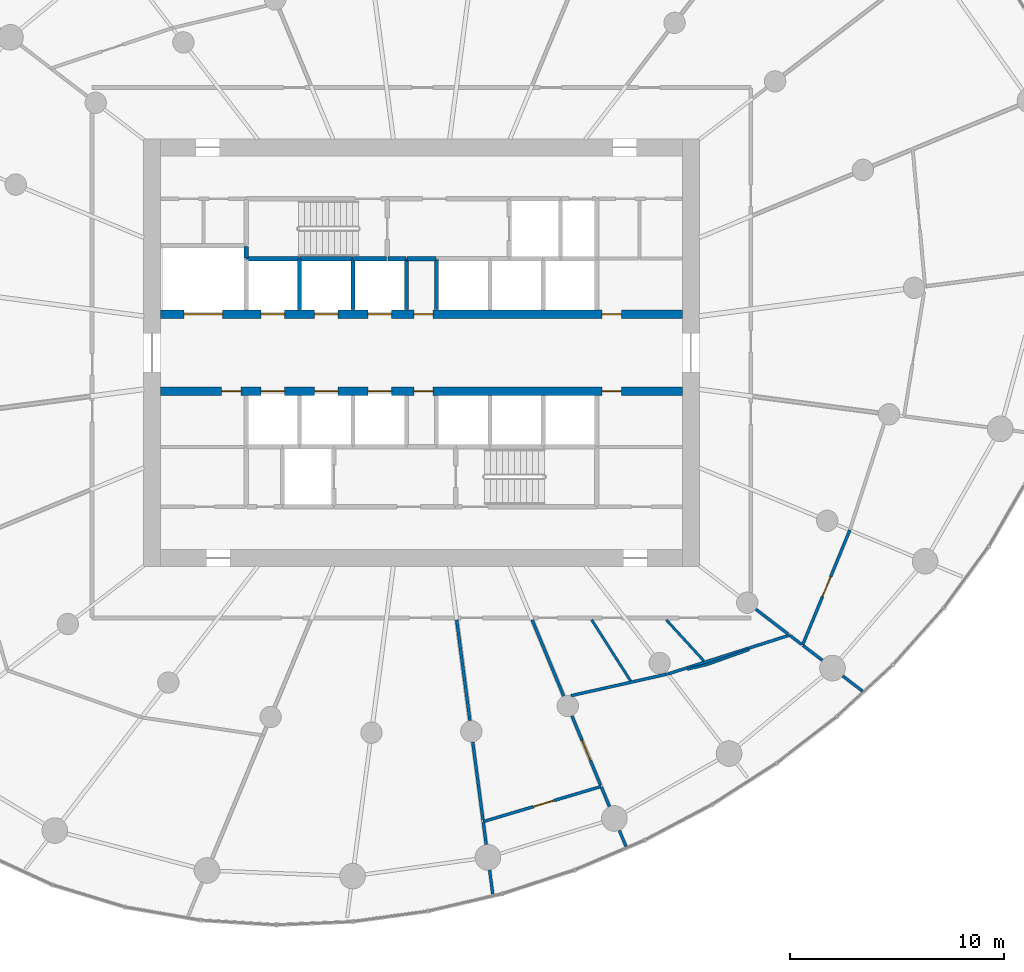
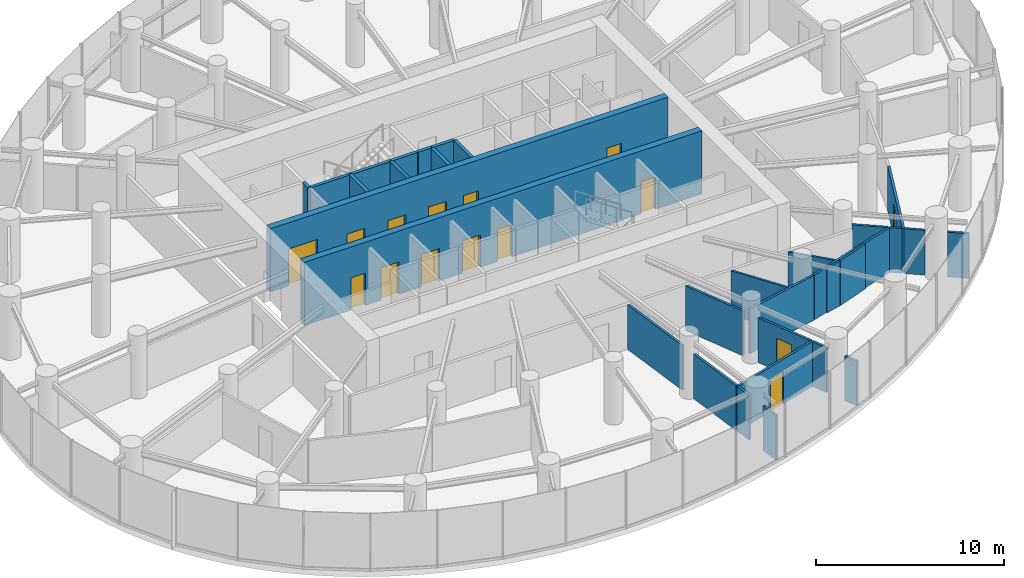
# One storey, part 11 of 17: 32 walls, 15 doors, 15 openings.
"""IFC4 building model written with IfcOpenShell, lengths in metres."""

from ifc_helpers import new_model, si_unit, direction, frame, frame_2d, origin, place, context, subcontext, project, spatial, rectangle, extrude, source, transform, mapped, material, layer, layer_set, type_object, element, fill, save


model = new_model("IFC4")

# Units and contexts
model_context = context("Model", 3, precision=1e-05, world=origin(), true_north=direction((0.0, 1.0)))
body_context = subcontext(model_context, "Body", "Model", "MODEL_VIEW")
ifc_project = project(units=[si_unit("LENGTHUNIT", "METRE"), si_unit("AREAUNIT", "SQUARE_METRE"), si_unit("VOLUMEUNIT", "CUBIC_METRE"), si_unit("PLANEANGLEUNIT", "RADIAN"), si_unit("MASSUNIT", "GRAM", prefix="KILO")], contexts=[model_context])

# Site, building, storey
site_placement = place(None, origin())
site = spatial("IfcSite", under=ifc_project, at=site_placement, CompositionType="ELEMENT")
building_placement = place(site_placement, origin())
building = spatial("IfcBuilding", under=site, at=building_placement, Name="Spindrift Exchange Tower", CompositionType="ELEMENT")
storey_placement = place(building_placement, frame((0.0, 0.0, 100.300048828125)))
storey = spatial("IfcBuildingStorey", under=building, at=storey_placement, Name="L23", CompositionType="ELEMENT", Elevation=100.300048828125)

# Wall, openings, doors
ifc_material_1 = material(Name="Concrete 65 MPa", Category="concrete")
ifc_layer_1 = layer(ifc_material_1, 0.39990234375)
ifc_layer_set_1 = layer_set([ifc_layer_1], Name="RC Spine Wall 400 Concrete 65 MPa")
wall_type_1 = type_object("IfcWallType", Name="RC Spine Wall 400 Concrete 65 MPa", PredefinedType="SHEAR", material=ifc_layer_set_1)
wall_1_placement = place(storey_placement, frame((39.800048828125, 49.800048828125, 0.0), z_axis=(0.0, 0.0, 1.0), x_axis=(1.0, 0.0, 0.0)))
wall_1 = element("IfcWall", 1, at=wall_1_placement, inside=storey, type_object=wall_type_1, Name="Core spine wall N L23", PredefinedType="SHEAR", context=body_context, shape_type="SweptSolid", body=[
    extrude(rectangle(XDim=24.39990234375, YDim=0.39990234375, at=frame_2d((12.199951171875, 0.0))), origin(), (0.0, 0.0, 1.0), 4.099853515625),
])
opening_1_placement = place(wall_1_placement, frame((4.699951171875, 0.0, 0.0)))
opening_1 = element("IfcOpeningElement", 2, at=opening_1_placement, cuts=wall_1, Name="Opening L23-D3", PredefinedType="OPENING", context=body_context, shape_type="SweptSolid", body=[
    extrude(rectangle(XDim=1.10009765625, YDim=2.10009765625, at=frame_2d((0.550048828125, 1.050048828125))), frame((0.0, 0.2099609375, 0.0), z_axis=(0.0, -1.0, 0.0), x_axis=(1.0, 0.0, 0.0)), (0.0, 0.0, 1.0), 0.419921875),
])
opening_2_placement = place(wall_1_placement, frame((7.199951171875, 0.0, 0.0)))
opening_2 = element("IfcOpeningElement", 3, at=opening_2_placement, cuts=wall_1, Name="Opening L23-D4", PredefinedType="OPENING", context=body_context, shape_type="SweptSolid", body=[
    extrude(rectangle(XDim=1.10009765625, YDim=2.10009765625, at=frame_2d((0.550048828125, 1.050048828125))), frame((0.0, 0.2099609375, 0.0), z_axis=(0.0, -1.0, 0.0), x_axis=(1.0, 0.0, 0.0)), (0.0, 0.0, 1.0), 0.419921875),
])
opening_3_placement = place(wall_1_placement, frame((9.699951171875, 0.0, 0.0)))
opening_3 = element("IfcOpeningElement", 4, at=opening_3_placement, cuts=wall_1, Name="Opening L23-D5", PredefinedType="OPENING", context=body_context, shape_type="SweptSolid", body=[
    extrude(rectangle(XDim=1.10009765625, YDim=2.10009765625, at=frame_2d((0.550048828125, 1.050048828125))), frame((0.0, 0.2099609375, 0.0), z_axis=(0.0, -1.0, 0.0), x_axis=(1.0, 0.0, 0.0)), (0.0, 0.0, 1.0), 0.419921875),
])
opening_4_placement = place(wall_1_placement, frame((1.10009765625, 0.0, 0.0)))
opening_4 = element("IfcOpeningElement", 5, at=opening_4_placement, cuts=wall_1, Name="Opening L23-D12", PredefinedType="OPENING", context=body_context, shape_type="SweptSolid", body=[
    extrude(rectangle(XDim=1.800048828125, YDim=2.39990234375, at=frame_2d((0.89990234375, 1.199951171875))), frame((0.0, 0.2099609375, 0.0), z_axis=(0.0, -1.0, 0.0), x_axis=(1.0, 0.0, 0.0)), (0.0, 0.0, 1.0), 0.419921875),
])
opening_5_placement = place(wall_1_placement, frame((20.64990234375, 0.0, 0.0)))
opening_5 = element("IfcOpeningElement", 6, at=opening_5_placement, cuts=wall_1, Name="Opening L23-D50", PredefinedType="OPENING", context=body_context, shape_type="SweptSolid", body=[
    extrude(rectangle(XDim=0.89990234375, YDim=2.10009765625, at=frame_2d((0.449951171875, 1.050048828125))), frame((0.0, 0.2099609375, 0.0), z_axis=(0.0, -1.0, 0.0), x_axis=(1.0, 0.0, 0.0)), (0.0, 0.0, 1.0), 0.419921875),
])
opening_6_placement = place(wall_1_placement, frame((11.85009765625, 0.0, 0.0)))
opening_6 = element("IfcOpeningElement", 7, at=opening_6_placement, cuts=wall_1, Name="Opening L23-D55", PredefinedType="OPENING", context=body_context, shape_type="SweptSolid", body=[
    extrude(rectangle(XDim=0.89990234375, YDim=2.10009765625, at=frame_2d((0.449951171875, 1.050048828125))), frame((0.0, 0.2099609375, 0.0), z_axis=(0.0, -1.0, 0.0), x_axis=(1.0, 0.0, 0.0)), (0.0, 0.0, 1.0), 0.419921875),
])
ifc_material_2 = material(Name="Stainless steel landing door", Category="steel")
door_type_1 = type_object("IfcDoorType", Name="DR-LANDING-1100-SL", OperationType="DOUBLE_DOOR_SLIDING", PredefinedType="USERDEFINED", material=ifc_material_2)
shared_shape_1 = source(origin(), body_context, "Body", "SweptSolid", [
    extrude(rectangle(XDim=1.10009765625, YDim=2.10009765625, at=frame_2d((0.550048828125, 1.050048828125))), frame((0.0, 0.02490234375, 0.0), z_axis=(0.0, -1.0, 0.0), x_axis=(1.0, 0.0, 0.0)), (0.0, 0.0, 1.0), 0.050048828125),
])
door_1_placement = place(opening_1_placement, origin())
door_1 = element("IfcDoor", 8, at=door_1_placement, inside=storey, type_object=door_type_1, Name="L23 Lift landing door 3", ObjectType="LANDING DOOR", OperationType="DOUBLE_DOOR_SLIDING", OverallHeight=2.10009765625, OverallWidth=1.10009765625, PredefinedType="USERDEFINED", context=body_context, shape_type="MappedRepresentation", body=[
    mapped(shared_shape_1, transform((0.0, 0.0, 0.0), scale=1.0)),
])
fill(opening_1, door_1)
door_2_placement = place(opening_2_placement, origin())
door_2 = element("IfcDoor", 9, at=door_2_placement, inside=storey, type_object=door_type_1, Name="L23 Lift landing door 4", ObjectType="LANDING DOOR", OperationType="DOUBLE_DOOR_SLIDING", OverallHeight=2.10009765625, OverallWidth=1.10009765625, PredefinedType="USERDEFINED", context=body_context, shape_type="MappedRepresentation", body=[
    mapped(shared_shape_1, transform((0.0, 0.0, 0.0), scale=1.0)),
])
fill(opening_2, door_2)
door_3_placement = place(opening_3_placement, origin())
door_3 = element("IfcDoor", 10, at=door_3_placement, inside=storey, type_object=door_type_1, Name="L23 Lift landing door 5", ObjectType="LANDING DOOR", OperationType="DOUBLE_DOOR_SLIDING", OverallHeight=2.10009765625, OverallWidth=1.10009765625, PredefinedType="USERDEFINED", context=body_context, shape_type="MappedRepresentation", body=[
    mapped(shared_shape_1, transform((0.0, 0.0, 0.0), scale=1.0)),
])
fill(opening_3, door_3)
door_type_2 = type_object("IfcDoorType", Name="DR-LANDING-1800-SL", OperationType="DOUBLE_DOOR_SLIDING", PredefinedType="USERDEFINED", material=ifc_material_2)
shared_shape_2 = source(origin(), body_context, "Body", "SweptSolid", [
    extrude(rectangle(XDim=1.800048828125, YDim=2.39990234375, at=frame_2d((0.89990234375, 1.199951171875))), frame((0.0, 0.02490234375, 0.0), z_axis=(0.0, -1.0, 0.0), x_axis=(1.0, 0.0, 0.0)), (0.0, 0.0, 1.0), 0.050048828125),
])
door_4_placement = place(opening_4_placement, origin())
door_4 = element("IfcDoor", 11, at=door_4_placement, inside=storey, type_object=door_type_2, Name="L23 Lift landing door 12", ObjectType="LANDING DOOR", OperationType="DOUBLE_DOOR_SLIDING", OverallHeight=2.39990234375, OverallWidth=1.800048828125, PredefinedType="USERDEFINED", context=body_context, shape_type="MappedRepresentation", body=[
    mapped(shared_shape_2, transform((0.0, 0.0, 0.0), scale=1.0)),
])
fill(opening_4, door_4)
ifc_material_3 = material(Name="Steel access door", Category="steel")
door_type_3 = type_object("IfcDoorType", Name="DR-RISER-900", OperationType="NOTDEFINED", PredefinedType="DOOR", material=ifc_material_3)
shared_shape_3 = source(origin(), body_context, "Body", "SweptSolid", [
    extrude(rectangle(XDim=0.89990234375, YDim=2.10009765625, at=frame_2d((0.449951171875, 1.050048828125))), frame((0.0, 0.02490234375, 0.0), z_axis=(0.0, -1.0, 0.0), x_axis=(1.0, 0.0, 0.0)), (0.0, 0.0, 1.0), 0.050048828125),
])
door_5_placement = place(opening_5_placement, origin())
door_5 = element("IfcDoor", 12, at=door_5_placement, inside=storey, type_object=door_type_3, Name="L23 Riser door 50", OperationType="SINGLE_SWING_RIGHT", OverallHeight=2.10009765625, OverallWidth=0.89990234375, PredefinedType="DOOR", context=body_context, shape_type="MappedRepresentation", body=[
    mapped(shared_shape_3, transform((0.0, 0.0, 0.0), scale=1.0)),
])
fill(opening_5, door_5)
door_6_placement = place(opening_6_placement, origin())
door_6 = element("IfcDoor", 13, at=door_6_placement, inside=storey, type_object=door_type_3, Name="L23 Riser door 55", OperationType="SINGLE_SWING_LEFT", OverallHeight=2.10009765625, OverallWidth=0.89990234375, PredefinedType="DOOR", context=body_context, shape_type="MappedRepresentation", body=[
    mapped(shared_shape_3, transform((0.0, 0.0, 0.0), scale=1.0)),
])
fill(opening_6, door_6)

wall_2_placement = place(storey_placement, frame((39.800048828125, 46.199951171875, 0.0), z_axis=(0.0, 0.0, 1.0), x_axis=(1.0, 0.0, 0.0)))
wall_2 = element("IfcWall", 14, at=wall_2_placement, inside=storey, type_object=wall_type_1, Name="Core spine wall S L23", PredefinedType="SHEAR", context=body_context, shape_type="SweptSolid", body=[
    extrude(rectangle(XDim=24.39990234375, YDim=0.39990234375, at=frame_2d((12.199951171875, 0.0))), origin(), (0.0, 0.0, 1.0), 4.099853515625),
])
opening_7_placement = place(wall_2_placement, frame((4.699951171875, 0.0, 0.0)))
opening_7 = element("IfcOpeningElement", 15, at=opening_7_placement, cuts=wall_2, Name="Opening L23-D6", PredefinedType="OPENING", context=body_context, shape_type="SweptSolid", body=[
    extrude(rectangle(XDim=1.10009765625, YDim=2.10009765625, at=frame_2d((0.550048828125, 1.050048828125))), frame((0.0, 0.2099609375, 0.0), z_axis=(0.0, -1.0, 0.0), x_axis=(1.0, 0.0, 0.0)), (0.0, 0.0, 1.0), 0.419921875),
])
opening_8_placement = place(wall_2_placement, frame((7.199951171875, 0.0, 0.0)))
opening_8 = element("IfcOpeningElement", 16, at=opening_8_placement, cuts=wall_2, Name="Opening L23-D7", PredefinedType="OPENING", context=body_context, shape_type="SweptSolid", body=[
    extrude(rectangle(XDim=1.10009765625, YDim=2.10009765625, at=frame_2d((0.550048828125, 1.050048828125))), frame((0.0, 0.2099609375, 0.0), z_axis=(0.0, -1.0, 0.0), x_axis=(1.0, 0.0, 0.0)), (0.0, 0.0, 1.0), 0.419921875),
])
opening_9_placement = place(wall_2_placement, frame((9.699951171875, 0.0, 0.0)))
opening_9 = element("IfcOpeningElement", 17, at=opening_9_placement, cuts=wall_2, Name="Opening L23-D8", PredefinedType="OPENING", context=body_context, shape_type="SweptSolid", body=[
    extrude(rectangle(XDim=1.10009765625, YDim=2.10009765625, at=frame_2d((0.550048828125, 1.050048828125))), frame((0.0, 0.2099609375, 0.0), z_axis=(0.0, -1.0, 0.0), x_axis=(1.0, 0.0, 0.0)), (0.0, 0.0, 1.0), 0.419921875),
])
opening_10_placement = place(wall_2_placement, frame((20.64990234375, 0.0, 0.0)))
opening_10 = element("IfcOpeningElement", 18, at=opening_10_placement, cuts=wall_2, Name="Opening L23-D49", PredefinedType="OPENING", context=body_context, shape_type="SweptSolid", body=[
    extrude(rectangle(XDim=0.89990234375, YDim=2.10009765625, at=frame_2d((0.449951171875, 1.050048828125))), frame((0.0, 0.2099609375, 0.0), z_axis=(0.0, -1.0, 0.0), x_axis=(1.0, 0.0, 0.0)), (0.0, 0.0, 1.0), 0.419921875),
])
opening_11_placement = place(wall_2_placement, frame((2.85009765625, 0.0, 0.0)))
opening_11 = element("IfcOpeningElement", 19, at=opening_11_placement, cuts=wall_2, Name="Opening L23-D54", PredefinedType="OPENING", context=body_context, shape_type="SweptSolid", body=[
    extrude(rectangle(XDim=0.89990234375, YDim=2.10009765625, at=frame_2d((0.449951171875, 1.050048828125))), frame((0.0, 0.2099609375, 0.0), z_axis=(0.0, -1.0, 0.0), x_axis=(1.0, 0.0, 0.0)), (0.0, 0.0, 1.0), 0.419921875),
])
opening_12_placement = place(wall_2_placement, frame((11.85009765625, 0.0, 0.0)))
opening_12 = element("IfcOpeningElement", 20, at=opening_12_placement, cuts=wall_2, Name="Opening L23-D56", PredefinedType="OPENING", context=body_context, shape_type="SweptSolid", body=[
    extrude(rectangle(XDim=0.89990234375, YDim=2.10009765625, at=frame_2d((0.449951171875, 1.050048828125))), frame((0.0, 0.2099609375, 0.0), z_axis=(0.0, -1.0, 0.0), x_axis=(1.0, 0.0, 0.0)), (0.0, 0.0, 1.0), 0.419921875),
])
door_7_placement = place(opening_7_placement, origin())
door_7 = element("IfcDoor", 21, at=door_7_placement, inside=storey, type_object=door_type_1, Name="L23 Lift landing door 6", ObjectType="LANDING DOOR", OperationType="DOUBLE_DOOR_SLIDING", OverallHeight=2.10009765625, OverallWidth=1.10009765625, PredefinedType="USERDEFINED", context=body_context, shape_type="MappedRepresentation", body=[
    mapped(shared_shape_1, transform((0.0, 0.0, 0.0), scale=1.0)),
])
fill(opening_7, door_7)
door_8_placement = place(opening_8_placement, origin())
door_8 = element("IfcDoor", 22, at=door_8_placement, inside=storey, type_object=door_type_1, Name="L23 Lift landing door 7", ObjectType="LANDING DOOR", OperationType="DOUBLE_DOOR_SLIDING", OverallHeight=2.10009765625, OverallWidth=1.10009765625, PredefinedType="USERDEFINED", context=body_context, shape_type="MappedRepresentation", body=[
    mapped(shared_shape_1, transform((0.0, 0.0, 0.0), scale=1.0)),
])
fill(opening_8, door_8)
door_9_placement = place(opening_9_placement, origin())
door_9 = element("IfcDoor", 23, at=door_9_placement, inside=storey, type_object=door_type_1, Name="L23 Lift landing door 8", ObjectType="LANDING DOOR", OperationType="DOUBLE_DOOR_SLIDING", OverallHeight=2.10009765625, OverallWidth=1.10009765625, PredefinedType="USERDEFINED", context=body_context, shape_type="MappedRepresentation", body=[
    mapped(shared_shape_1, transform((0.0, 0.0, 0.0), scale=1.0)),
])
fill(opening_9, door_9)
door_10_placement = place(opening_10_placement, origin())
door_10 = element("IfcDoor", 24, at=door_10_placement, inside=storey, type_object=door_type_3, Name="L23 Riser door 49", OperationType="SINGLE_SWING_LEFT", OverallHeight=2.10009765625, OverallWidth=0.89990234375, PredefinedType="DOOR", context=body_context, shape_type="MappedRepresentation", body=[
    mapped(shared_shape_3, transform((0.0, 0.0, 0.0), scale=1.0)),
])
fill(opening_10, door_10)
door_11_placement = place(opening_11_placement, origin())
door_11 = element("IfcDoor", 25, at=door_11_placement, inside=storey, type_object=door_type_3, Name="L23 Riser door 54", OperationType="SINGLE_SWING_RIGHT", OverallHeight=2.10009765625, OverallWidth=0.89990234375, PredefinedType="DOOR", context=body_context, shape_type="MappedRepresentation", body=[
    mapped(shared_shape_3, transform((0.0, 0.0, 0.0), scale=1.0)),
])
fill(opening_11, door_11)
door_12_placement = place(opening_12_placement, origin())
door_12 = element("IfcDoor", 26, at=door_12_placement, inside=storey, type_object=door_type_3, Name="L23 Riser door 56", OperationType="SINGLE_SWING_RIGHT", OverallHeight=2.10009765625, OverallWidth=0.89990234375, PredefinedType="DOOR", context=body_context, shape_type="MappedRepresentation", body=[
    mapped(shared_shape_3, transform((0.0, 0.0, 0.0), scale=1.0)),
])
fill(opening_12, door_12)

# Wall, opening, door
ifc_material_4 = material(Name="Fire-rated plasterboard partition", Category="gypsum")
ifc_layer_2 = layer(ifc_material_4, 0.139892578125)
ifc_layer_set_2 = layer_set([ifc_layer_2], Name="W-PART-140")
wall_type_2 = type_object("IfcWallType", Name="W-PART-140", PredefinedType="PARTITIONING", material=ifc_layer_set_2)
wall_3_placement = place(storey_placement, frame((60.40185546875, 27.71630859375, 0.0), z_axis=(0.0, 0.0, 1.0), x_axis=(-0.958396549516, -0.285440105584, 0.0)))
wall_3 = element("IfcWall", 27, at=wall_3_placement, inside=storey, type_object=wall_type_2, Name="L23 Partition wall 79", PredefinedType="PARTITIONING", context=body_context, shape_type="SweptSolid", body=[
    extrude(rectangle(XDim=5.754638671875, YDim=0.139892578125, at=frame_2d((2.87744140625, 0.0))), origin(), (0.0, 0.0, 1.0), 2.89990234375),
])
opening_13_placement = place(wall_3_placement, frame((2.304443359375, 0.0, 0.0)))
opening_13 = element("IfcOpeningElement", 28, at=opening_13_placement, cuts=wall_3, Name="Opening L23-D45", PredefinedType="OPENING", context=body_context, shape_type="SweptSolid", body=[
    extrude(rectangle(XDim=1.0, YDim=2.10009765625, at=frame_2d((0.5, 1.050048828125))), frame((0.0, 0.079833984375, 0.0), z_axis=(0.0, -1.0, 0.0), x_axis=(1.0, 0.0, 0.0)), (0.0, 0.0, 1.0), 0.159912109375),
])
ifc_material_5 = material(Name="Timber-core fire door", Category="wood")
door_type_4 = type_object("IfcDoorType", Name="DR-ROOM-1000", OperationType="NOTDEFINED", PredefinedType="DOOR", material=ifc_material_5)
shared_shape_4 = source(origin(), body_context, "Body", "SweptSolid", [
    extrude(rectangle(XDim=1.0, YDim=2.10009765625, at=frame_2d((0.5, 1.050048828125))), frame((0.0, 0.02490234375, 0.0), z_axis=(0.0, -1.0, 0.0), x_axis=(1.0, 0.0, 0.0)), (0.0, 0.0, 1.0), 0.050048828125),
])
door_13_placement = place(opening_13_placement, origin())
door_13 = element("IfcDoor", 29, at=door_13_placement, inside=storey, type_object=door_type_4, Name="L23 Door 45", OperationType="SINGLE_SWING_LEFT", OverallHeight=2.10009765625, OverallWidth=1.0, PredefinedType="DOOR", context=body_context, shape_type="MappedRepresentation", body=[
    mapped(shared_shape_4, transform((0.0, 0.0, 0.0), scale=1.0)),
])
fill(opening_13, door_13)

# Walls
wall_4_placement = place(storey_placement, frame((57.173583984375, 35.510009765625, 0.0), z_axis=(0.0, 0.0, 1.0), x_axis=(0.382644558062, -0.923895633817, 0.0)))
element("IfcWall", 30, at=wall_4_placement, inside=storey, type_object=wall_type_2, Name="L23 Partition wall 95", PredefinedType="PARTITIONING", context=body_context, shape_type="SweptSolid", body=[
    extrude(rectangle(XDim=3.854248046875, YDim=0.139892578125, at=frame_2d((1.92724609375, 0.0))), origin(), (0.0, 0.0, 1.0), 2.89990234375),
])
ifc_layer_3 = layer(ifc_material_4, 0.1201171875)
ifc_layer_set_3 = layer_set([ifc_layer_3], Name="W-PLANT-120")
wall_type_3 = type_object("IfcWallType", Name="W-PLANT-120", PredefinedType="PARTITIONING", material=ifc_layer_set_3)
wall_5_placement = place(storey_placement, frame((65.363037109375, 33.416748046875, 0.0), z_axis=(0.0, 0.0, 1.0), x_axis=(0.941622213284, 0.336671364166, 0.0)))
element("IfcWall", 31, at=wall_5_placement, inside=storey, type_object=wall_type_3, Name="L23 Partition wall 129", PredefinedType="PARTITIONING", context=body_context, shape_type="SweptSolid", body=[
    extrude(rectangle(XDim=2.07763671875, YDim=0.1201171875, at=frame_2d((1.038818359375, 0.0))), origin(), (0.0, 0.0, 1.0), 2.89990234375),
])
wall_6_placement = place(storey_placement, frame((64.4287109375, 33.195068359375, 0.0), z_axis=(0.0, 0.0, 1.0), x_axis=(0.972960885816, 0.230969943221, 0.0)))
element("IfcWall", 32, at=wall_6_placement, inside=storey, type_object=wall_type_3, Name="L23 Partition wall 132", PredefinedType="PARTITIONING", context=body_context, shape_type="SweptSolid", body=[
    extrude(rectangle(XDim=0.93017578125, YDim=0.1201171875, at=frame_2d((0.465087890625, 0.0))), origin(), (0.0, 0.0, 1.0), 2.89990234375),
])
ifc_layer_4 = layer(ifc_material_4, 0.139892578125)
ifc_layer_set_4 = layer_set([ifc_layer_4], Name="W-PLANT-140")
wall_type_4 = type_object("IfcWallType", Name="W-PLANT-140", PredefinedType="PARTITIONING", material=ifc_layer_set_4)
wall_7_placement = place(storey_placement, frame((63.52490234375, 32.98046875, 0.0), z_axis=(0.0, 0.0, 1.0), x_axis=(0.952796236259, 0.303610494172, 0.0)))
element("IfcWall", 33, at=wall_7_placement, inside=storey, type_object=wall_type_4, Name="L23 Partition wall 76", PredefinedType="PARTITIONING", context=body_context, shape_type="SweptSolid", body=[
    extrude(rectangle(XDim=5.968994140625, YDim=0.139892578125, at=frame_2d((2.984375, 0.0))), origin(), (0.0, 0.0, 1.0), 2.89990234375),
])

# Wall, opening, door
wall_8_placement = place(storey_placement, frame((72.028076171875, 39.7041015625, 0.0), z_axis=(0.0, 0.0, 1.0), x_axis=(-0.380042060719, -0.92496920602, 0.0)))
wall_8 = element("IfcWall", 34, at=wall_8_placement, inside=storey, type_object=wall_type_4, Name="L23 Partition wall 78", PredefinedType="PARTITIONING", context=body_context, shape_type="SweptSolid", body=[
    extrude(rectangle(XDim=5.813232421875, YDim=0.139892578125, at=frame_2d((2.90673828125, 0.0))), origin(), (0.0, 0.0, 1.0), 2.89990234375),
])
opening_14_placement = place(wall_8_placement, frame((2.36328125, 0.0, 0.0)))
opening_14 = element("IfcOpeningElement", 35, at=opening_14_placement, cuts=wall_8, Name="Opening L23-D28", PredefinedType="OPENING", context=body_context, shape_type="SweptSolid", body=[
    extrude(rectangle(XDim=1.0, YDim=2.10009765625, at=frame_2d((0.5, 1.050048828125))), frame((0.0, 0.079833984375, 0.0), z_axis=(0.0, -1.0, 0.0), x_axis=(1.0, 0.0, 0.0)), (0.0, 0.0, 1.0), 0.159912109375),
])
door_14_placement = place(opening_14_placement, origin())
door_14 = element("IfcDoor", 36, at=door_14_placement, inside=storey, type_object=door_type_4, Name="L23 Door 28", OperationType="SINGLE_SWING_RIGHT", OverallHeight=2.10009765625, OverallWidth=1.0, PredefinedType="DOOR", context=body_context, shape_type="MappedRepresentation", body=[
    mapped(shared_shape_4, transform((0.0, 0.0, 0.0), scale=1.0)),
])
fill(opening_14, door_14)

# Walls
wall_9_placement = place(storey_placement, frame((53.644287109375, 35.510009765625, 0.0), z_axis=(0.0, 0.0, 1.0), x_axis=(0.130548834981, -0.991441880135, 0.0)))
element("IfcWall", 37, at=wall_9_placement, inside=storey, type_object=wall_type_4, Name="L23 Partition wall 87", PredefinedType="PARTITIONING", context=body_context, shape_type="SweptSolid", body=[
    extrude(rectangle(XDim=4.75390625, YDim=0.139892578125, at=frame_2d((2.376953125, 0.0))), origin(), (0.0, 0.0, 1.0), 2.89990234375),
])
wall_10_placement = place(storey_placement, frame((58.994384765625, 31.963623046875, 0.0), z_axis=(0.0, 0.0, 1.0), x_axis=(0.975726638185, 0.218992071856, 0.0)))
element("IfcWall", 38, at=wall_10_placement, inside=storey, type_object=wall_type_4, Name="L23 Partition wall 88", PredefinedType="PARTITIONING", context=body_context, shape_type="SweptSolid", body=[
    extrude(rectangle(XDim=4.61328125, YDim=0.139892578125, at=frame_2d((2.306640625, 0.0))), origin(), (0.0, 0.0, 1.0), 2.89990234375),
])
wall_11_placement = place(storey_placement, frame((54.396484375, 29.796630859375, 0.0), z_axis=(0.0, 0.0, 1.0), x_axis=(0.13054879449, -0.991441885466, 0.0)))
element("IfcWall", 39, at=wall_11_placement, inside=storey, type_object=wall_type_4, Name="L23 Partition wall 98", PredefinedType="PARTITIONING", context=body_context, shape_type="SweptSolid", body=[
    extrude(rectangle(XDim=3.68408203125, YDim=0.139892578125, at=frame_2d((1.842041015625, 0.0))), origin(), (0.0, 0.0, 1.0), 2.89990234375),
])

# Wall, opening, door
wall_12_placement = place(storey_placement, frame((59.034912109375, 31.015869140625, 0.0), z_axis=(0.0, 0.0, 1.0), x_axis=(0.382713118167, -0.923867235691, 0.0)))
wall_12 = element("IfcWall", 40, at=wall_12_placement, inside=storey, type_object=wall_type_4, Name="L23 Partition wall 99", PredefinedType="PARTITIONING", context=body_context, shape_type="SweptSolid", body=[
    extrude(rectangle(XDim=3.5009765625, YDim=0.139892578125, at=frame_2d((1.75048828125, 0.0))), origin(), (0.0, 0.0, 1.0), 2.89990234375),
])
opening_15_placement = place(wall_12_placement, frame((1.25, 0.0, 0.0)))
opening_15 = element("IfcOpeningElement", 41, at=opening_15_placement, cuts=wall_12, Name="Opening L23-D29", PredefinedType="OPENING", context=body_context, shape_type="SweptSolid", body=[
    extrude(rectangle(XDim=1.0, YDim=2.10009765625, at=frame_2d((0.5, 1.050048828125))), frame((0.0, 0.079833984375, 0.0), z_axis=(0.0, -1.0, 0.0), x_axis=(1.0, 0.0, 0.0)), (0.0, 0.0, 1.0), 0.159912109375),
])
door_15_placement = place(opening_15_placement, origin())
door_15 = element("IfcDoor", 42, at=door_15_placement, inside=storey, type_object=door_type_4, Name="L23 Door 29", OperationType="SINGLE_SWING_LEFT", OverallHeight=2.10009765625, OverallWidth=1.0, PredefinedType="DOOR", context=body_context, shape_type="MappedRepresentation", body=[
    mapped(shared_shape_4, transform((0.0, 0.0, 0.0), scale=1.0)),
])
fill(opening_15, door_15)

# Walls
wall_13_placement = place(storey_placement, frame((67.632568359375, 36.004638671875, 0.0), z_axis=(0.0, 0.0, 1.0), x_axis=(0.79330932609, -0.608818785139, 0.0)))
element("IfcWall", 43, at=wall_13_placement, inside=storey, type_object=wall_type_4, Name="L23 Partition wall 106", PredefinedType="PARTITIONING", context=body_context, shape_type="SweptSolid", body=[
    extrude(rectangle(XDim=1.905517578125, YDim=0.139892578125, at=frame_2d((0.95263671875, 0.0))), origin(), (0.0, 0.0, 1.0), 2.89990234375),
])
wall_14_placement = place(storey_placement, frame((71.69921875, 32.88427734375, 0.0), z_axis=(0.0, 0.0, 1.0), x_axis=(0.793332880396, -0.608788091935, 0.0)))
element("IfcWall", 44, at=wall_14_placement, inside=storey, type_object=wall_type_4, Name="L23 Partition wall 116", PredefinedType="PARTITIONING", context=body_context, shape_type="SweptSolid", body=[
    extrude(rectangle(XDim=1.1640625, YDim=0.139892578125, at=frame_2d((0.58203125, 0.0))), origin(), (0.0, 0.0, 1.0), 2.89990234375),
])
for number, where, z_axis, x_axis, name in (
    (45, (69.8427734375, 34.308837890625, 0.0), (0.0, 0.0, 1.0), (0.793321446023, -0.608802992174, 0.0), "L23 Partition wall 118"),
    (46, (55.185302734375, 23.805419921875, 0.0), (0.0, 0.0, 1.0), (0.130566163888, -0.991439598184, 0.0), "L23 Partition wall 119"),
):
    element("IfcWall", number, at=place(storey_placement, frame(where, z_axis=z_axis, x_axis=x_axis)), inside=storey, type_object=wall_type_4, Name=name, PredefinedType="PARTITIONING", context=body_context, shape_type="SweptSolid", body=[
        extrude(rectangle(XDim=1.13134765625, YDim=0.139892578125, at=frame_2d((0.565673828125, 0.0))), origin(), (0.0, 0.0, 1.0), 2.89990234375),
    ])
wall_15_placement = place(storey_placement, frame((54.890625, 26.0439453125, 0.0), z_axis=(0.0, 0.0, 1.0), x_axis=(0.130562877322, -0.991440030998, 0.0)))
element("IfcWall", 47, at=wall_15_placement, inside=storey, type_object=wall_type_4, Name="L23 Partition wall 120", PredefinedType="PARTITIONING", context=body_context, shape_type="SweptSolid", body=[
    extrude(rectangle(XDim=1.049072265625, YDim=0.139892578125, at=frame_2d((0.5244140625, 0.0))), origin(), (0.0, 0.0, 1.0), 2.89990234375),
])
wall_16_placement = place(storey_placement, frame((60.4130859375, 27.688720703125, 0.0), z_axis=(0.0, 0.0, 1.0), x_axis=(0.382767514508, -0.923844700065, 0.0)))
element("IfcWall", 48, at=wall_16_placement, inside=storey, type_object=wall_type_4, Name="L23 Partition wall 123", PredefinedType="PARTITIONING", context=body_context, shape_type="SweptSolid", body=[
    extrude(rectangle(XDim=0.9853515625, YDim=0.139892578125, at=frame_2d((0.49267578125, 0.0))), origin(), (0.0, 0.0, 1.0), 2.89990234375),
])
wall_17_placement = place(storey_placement, frame((61.25341796875, 25.660400390625, 0.0), z_axis=(0.0, 0.0, 1.0), x_axis=(0.382520140646, -0.923947153251, 0.0)))
element("IfcWall", 49, at=wall_17_placement, inside=storey, type_object=wall_type_4, Name="L23 Partition wall 126", PredefinedType="PARTITIONING", context=body_context, shape_type="SweptSolid", body=[
    extrude(rectangle(XDim=0.811279296875, YDim=0.139892578125, at=frame_2d((0.40576171875, 0.0))), origin(), (0.0, 0.0, 1.0), 2.89990234375),
])
wall_18_placement = place(storey_placement, frame((69.23583984375, 34.7744140625, 0.0), z_axis=(0.0, 0.0, 1.0), x_axis=(0.793363129336, -0.608748671465, 0.0)))
element("IfcWall", 50, at=wall_18_placement, inside=storey, type_object=wall_type_4, Name="L23 Partition wall 127", PredefinedType="PARTITIONING", context=body_context, shape_type="SweptSolid", body=[
    extrude(rectangle(XDim=0.66259765625, YDim=0.139892578125, at=frame_2d((0.331298828125, 0.0))), origin(), (0.0, 0.0, 1.0), 2.89990234375),
])
ifc_material_6 = material(Name="Concrete 40 MPa", Category="concrete")
ifc_layer_5 = layer(ifc_material_6, 0.199951171875)
ifc_layer_set_5 = layer_set([ifc_layer_5], Name="W-SHAFT-200")
wall_type_5 = type_object("IfcWallType", Name="W-SHAFT-200", PredefinedType="SOLIDWALL", material=ifc_layer_set_5)
wall_19_placement = place(storey_placement, frame((51.300048828125, 50.010009765625, 0.0), z_axis=(0.0, 0.0, 1.0), x_axis=(0.0, 1.0, 0.0)))
element("IfcWall", 51, at=wall_19_placement, inside=storey, type_object=wall_type_5, Name="L23 Shaft wall 30", PredefinedType="SOLIDWALL", context=body_context, shape_type="SweptSolid", body=[
    extrude(rectangle(XDim=2.389892578125, YDim=0.199951171875, at=frame_2d((1.19482421875, 0.0))), origin(), (0.0, 0.0, 1.0), 3.699951171875),
])
wall_20_placement = place(storey_placement, frame((52.699951171875, 52.3701171875, 0.0), z_axis=(0.0, 0.0, 1.0), x_axis=(0.0, -1.0, 0.0)))
element("IfcWall", 52, at=wall_20_placement, inside=storey, type_object=wall_type_5, Name="L23 Shaft wall 32", PredefinedType="SOLIDWALL", context=body_context, shape_type="SweptSolid", body=[
    extrude(rectangle(XDim=2.360107421875, YDim=0.199951171875, at=frame_2d((1.18017578125, 0.0))), origin(), (0.0, 0.0, 1.0), 3.699951171875),
])
wall_21_placement = place(storey_placement, frame((51.330078125, 52.39990234375, 0.0), z_axis=(0.0, 0.0, 1.0), x_axis=(1.0, 0.0, 0.0)))
element("IfcWall", 53, at=wall_21_placement, inside=storey, type_object=wall_type_5, Name="L23 Shaft wall 49", PredefinedType="SOLIDWALL", context=body_context, shape_type="SweptSolid", body=[
    extrude(rectangle(XDim=1.33984375, YDim=0.199951171875, at=frame_2d((0.669921875, 0.0))), origin(), (0.0, 0.0, 1.0), 3.699951171875),
])
ifc_layer_6 = layer(ifc_material_6, 0.199951171875)
ifc_layer_set_6 = layer_set([ifc_layer_6], Name="W-SHAFT-200-LB")
wall_type_6 = type_object("IfcWallType", Name="W-SHAFT-200-LB", PredefinedType="SOLIDWALL", material=ifc_layer_set_6)
wall_22_placement = place(storey_placement, frame((46.300048828125, 52.39990234375, 0.0), z_axis=(0.0, 0.0, 1.0), x_axis=(-1.0, 0.0, 0.0)))
element("IfcWall", 54, at=wall_22_placement, inside=storey, type_object=wall_type_6, Name="L23 Shaft wall 15", PredefinedType="SOLIDWALL", context=body_context, shape_type="SweptSolid", body=[
    extrude(rectangle(XDim=2.5, YDim=0.199951171875, at=frame_2d((1.25, 0.0))), origin(), (0.0, 0.0, 1.0), 3.699951171875),
])
wall_23_placement = place(storey_placement, frame((48.800048828125, 52.39990234375, 0.0), z_axis=(0.0, 0.0, 1.0), x_axis=(-1.0, 0.0, 0.0)))
element("IfcWall", 55, at=wall_23_placement, inside=storey, type_object=wall_type_6, Name="L23 Shaft wall 16", PredefinedType="SOLIDWALL", context=body_context, shape_type="SweptSolid", body=[
    extrude(rectangle(XDim=2.469970703125, YDim=0.199951171875, at=frame_2d((1.23486328125, 0.0))), origin(), (0.0, 0.0, 1.0), 3.699951171875),
])
for number, where, z_axis, x_axis, name in (
    (56, (46.300048828125, 50.010009765625, 0.0), (0.0, 0.0, 1.0), (0.0, 1.0, 0.0), "L23 Shaft wall 26"),
    (57, (48.800048828125, 50.010009765625, 0.0), (0.0, 0.0, 1.0), (0.0, 1.0, 0.0), "L23 Shaft wall 28"),
):
    element("IfcWall", number, at=place(storey_placement, frame(where, z_axis=z_axis, x_axis=x_axis)), inside=storey, type_object=wall_type_6, Name=name, PredefinedType="SOLIDWALL", context=body_context, shape_type="SweptSolid", body=[
        extrude(rectangle(XDim=2.360107421875, YDim=0.199951171875, at=frame_2d((1.18017578125, 0.0))), origin(), (0.0, 0.0, 1.0), 3.699951171875),
    ])
wall_24_placement = place(storey_placement, frame((50.3701171875, 52.39990234375, 0.0), z_axis=(0.0, 0.0, 1.0), x_axis=(-1.0, 0.0, 0.0)))
element("IfcWall", 58, at=wall_24_placement, inside=storey, type_object=wall_type_6, Name="L23 Shaft wall 45", PredefinedType="SOLIDWALL", context=body_context, shape_type="SweptSolid", body=[
    extrude(rectangle(XDim=1.5400390625, YDim=0.199951171875, at=frame_2d((0.77001953125, 0.0))), origin(), (0.0, 0.0, 1.0), 3.699951171875),
])
wall_25_placement = place(storey_placement, frame((51.27001953125, 52.39990234375, 0.0), z_axis=(0.0, 0.0, 1.0), x_axis=(-1.0, 0.0, 0.0)))
element("IfcWall", 59, at=wall_25_placement, inside=storey, type_object=wall_type_6, Name="L23 Shaft wall 51", PredefinedType="SOLIDWALL", context=body_context, shape_type="SweptSolid", body=[
    extrude(rectangle(XDim=0.840087890625, YDim=0.199951171875, at=frame_2d((0.419921875, 0.0))), origin(), (0.0, 0.0, 1.0), 3.699951171875),
])
wall_26_placement = place(storey_placement, frame((43.800048828125, 52.429931640625, 0.0), z_axis=(0.0, 0.0, 1.0), x_axis=(0.0, 1.0, 0.0)))
element("IfcWall", 60, at=wall_26_placement, inside=storey, type_object=wall_type_6, Name="L23 Shaft wall 56", PredefinedType="SOLIDWALL", context=body_context, shape_type="SweptSolid", body=[
    extrude(rectangle(XDim=0.5400390625, YDim=0.199951171875, at=frame_2d((0.27001953125, 0.0))), origin(), (0.0, 0.0, 1.0), 3.699951171875),
])
ifc_layer_7 = layer(ifc_material_4, 0.1201171875)
ifc_layer_set_7 = layer_set([ifc_layer_7], Name="W-WET-120")
wall_type_7 = type_object("IfcWallType", Name="W-WET-120", PredefinedType="PARTITIONING", material=ifc_layer_set_7)
wall_27_placement = place(storey_placement, frame((59.95703125, 35.510009765625, 0.0), z_axis=(0.0, 0.0, 1.0), x_axis=(0.53729604105, -0.843393718421, 0.0)))
element("IfcWall", 61, at=wall_27_placement, inside=storey, type_object=wall_type_7, Name="L23 Partition wall 130", PredefinedType="PARTITIONING", context=body_context, shape_type="SweptSolid", body=[
    extrude(rectangle(XDim=3.380126953125, YDim=0.1201171875, at=frame_2d((1.68994140625, 0.0))), origin(), (0.0, 0.0, 1.0), 2.89990234375),
])
wall_28_placement = place(storey_placement, frame((63.445068359375, 35.510009765625, 0.0), z_axis=(0.0, 0.0, 1.0), x_axis=(0.675550604447, -0.737313624471, 0.0)))
element("IfcWall", 62, at=wall_28_placement, inside=storey, type_object=wall_type_7, Name="L23 Partition wall 131", PredefinedType="PARTITIONING", context=body_context, shape_type="SweptSolid", body=[
    extrude(rectangle(XDim=2.60498046875, YDim=0.1201171875, at=frame_2d((1.302490234375, 0.0))), origin(), (0.0, 0.0, 1.0), 2.89990234375),
])

save(model, "model.ifc")
